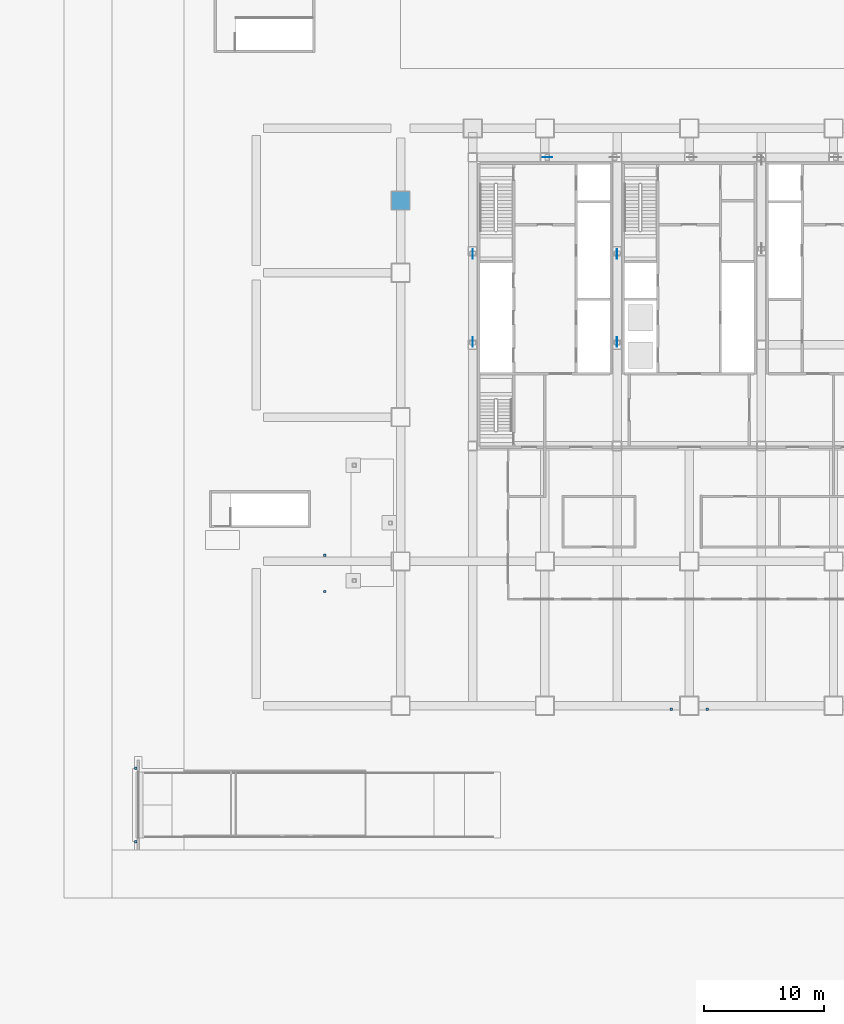
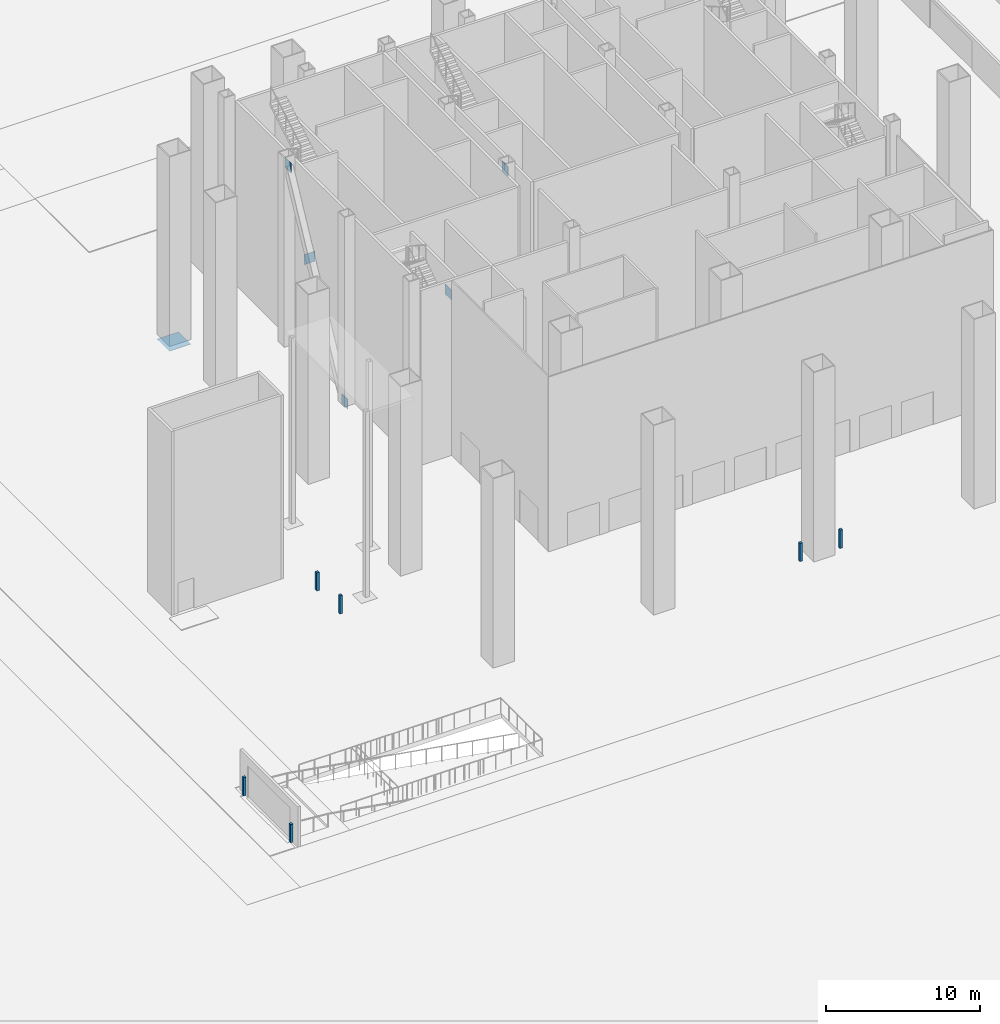
# One storey, part 13 of 22: 12 discrete accessories.
"""IFC4 building model written with IfcOpenShell, lengths in metres."""

from ifc_helpers import new_model, si_unit, direction, frame, origin, origin_2d, place, context, subcontext, project, spatial, rectangle, extrude, material, layer, layer_set, type_object, element, save


model = new_model("IFC4")

# Units and contexts
model_context = context("Model", 3, precision=1e-05, world=origin(), true_north=direction((0.0, 1.0)))
body_context = subcontext(model_context, "Body", "Model", "MODEL_VIEW")
ifc_project = project(units=[si_unit("LENGTHUNIT", "METRE"), si_unit("AREAUNIT", "SQUARE_METRE"), si_unit("VOLUMEUNIT", "CUBIC_METRE"), si_unit("PLANEANGLEUNIT", "RADIAN"), si_unit("MASSUNIT", "GRAM", prefix="KILO")], contexts=[model_context])

# Site, building, storey
site_placement = place(None, origin())
site = spatial("IfcSite", under=ifc_project, at=site_placement, CompositionType="ELEMENT")
building_placement = place(site_placement, origin())
building = spatial("IfcBuilding", under=site, at=building_placement, Name="Sorahane Residences", CompositionType="ELEMENT")
storey_placement = place(building_placement, origin())
storey = spatial("IfcBuildingStorey", under=building, at=storey_placement, Name="L00", CompositionType="ELEMENT", Elevation=0.0)

# Discrete accessories
ifc_material_1 = material(Name="Steel Q420GJ", Category="steel")
ifc_layer_1 = layer(ifc_material_1, 0.02001953125)
ifc_layer_set_1 = layer_set([ifc_layer_1], Name="End plate Steel Q420GJ 1600x1600x20")
discrete_accessory_type_1 = type_object("IfcDiscreteAccessoryType", Name="End plate Steel Q420GJ 1600x1600x20", PredefinedType="USERDEFINED", material=ifc_layer_set_1)
discrete_accessory_placement = place(storey_placement, frame((0.0, 42.0, -0.380126953125), z_axis=(0.0, 0.0, 1.0), x_axis=(1.0, 0.0, 0.0)))
element("IfcDiscreteAccessory", 1, at=discrete_accessory_placement, inside=storey, type_object=discrete_accessory_type_1, Name="End plate L00", ObjectType="END PLATE", PredefinedType="USERDEFINED", context=body_context, shape_type="SweptSolid", body=[
    extrude(rectangle(XDim=1.60009765625, YDim=1.60009765625, at=origin_2d()), origin(), (0.0, 0.0, 1.0), 0.02001953125),
])
ifc_material_2 = material(Name="Steel Q355B", Category="steel")
discrete_accessory_type_2 = type_object("IfcDiscreteAccessoryType", Name="Flood barrier post 1500 Steel Q355B", PredefinedType="USERDEFINED", material=ifc_material_2)
for number, where, z_axis, x_axis, name in (
    (2, (-22.0, -11.300048828125, 0.06005859375), (0.0, 0.0, 1.0), (1.0, 0.0, 0.0), "Flood barrier post Ramp portal W 1"),
    (3, (-22.0, -5.199951171875, 0.06005859375), (0.0, 0.0, 1.0), (1.0, 0.0, 0.0), "Flood barrier post Ramp portal W 2"),
    (4, (-6.300048828125, 9.5, 0.06005859375), (0.0, 0.0, 1.0), (1.0, 0.0, 0.0), "Flood barrier post Entrance 1 1"),
    (5, (-6.300048828125, 12.5, 0.06005859375), (0.0, 0.0, 1.0), (1.0, 0.0, 0.0), "Flood barrier post Entrance 1 2"),
    (6, (22.5, -0.300048828125, 0.06005859375), (0.0, 0.0, 1.0), (1.0, 0.0, 0.0), "Flood barrier post Entrance 2 1"),
    (7, (25.5, -0.300048828125, 0.06005859375), (0.0, 0.0, 1.0), (1.0, 0.0, 0.0), "Flood barrier post Entrance 2 2"),
):
    element("IfcDiscreteAccessory", number, at=place(storey_placement, frame(where, z_axis=z_axis, x_axis=x_axis)), inside=storey, type_object=discrete_accessory_type_2, Name=name, ObjectType="Demountable flood barrier post", PredefinedType="USERDEFINED", context=body_context, shape_type="SweptSolid", body=[
        extrude(rectangle(XDim=0.199951171875, YDim=0.199951171875, at=origin_2d()), origin(), (0.0, 0.0, 1.0), 1.43994140625),
    ])
ifc_material_3 = material(Name="Steel Q355B", Category="steel")
ifc_layer_2 = layer(ifc_material_3, 0.02490234375)
ifc_layer_set_2 = layer_set([ifc_layer_2], Name="Node plate Steel Q355B 25")
discrete_accessory_type_3 = type_object("IfcDiscreteAccessoryType", Name="Node plate Steel Q355B 25", PredefinedType="BRACKET", material=ifc_layer_set_2)
for number, where, z_axis, x_axis, name in (
    (8, (6.0, 30.2333984375, -0.47412109375), (0.0, 0.0, 1.0), (0.0, 1.0, 0.0), "Node plate L00 br"),
    (9, (6.0, 37.566650390625, 13.77392578125), (0.0, 0.0, 1.0), (0.0, 1.0, 0.0), "Node plate L00 br"),
    (10, (18.0, 37.566650390625, -0.47412109375), (0.0, 0.0, 1.0), (0.0, 1.0, 0.0), "Node plate L00 br"),
    (11, (18.0, 30.2333984375, 13.77392578125), (0.0, 0.0, 1.0), (0.0, 1.0, 0.0), "Node plate L00 br"),
    (12, (12.224853515625, 45.60009765625, -0.60791015625), (0.0, 0.0, 1.0), (1.0, 0.0, 0.0), "Node plate L00 br"),
):
    element("IfcDiscreteAccessory", number, at=place(storey_placement, frame(where, z_axis=z_axis, x_axis=x_axis)), inside=storey, type_object=discrete_accessory_type_3, Name=name, PredefinedType="BRACKET", context=body_context, shape_type="SweptSolid", body=[
        extrude(rectangle(XDim=0.800048828125, YDim=0.02490234375, at=origin_2d()), origin(), (0.0, 0.0, 1.0), 0.800048828125),
    ])

save(model, "model.ifc")
